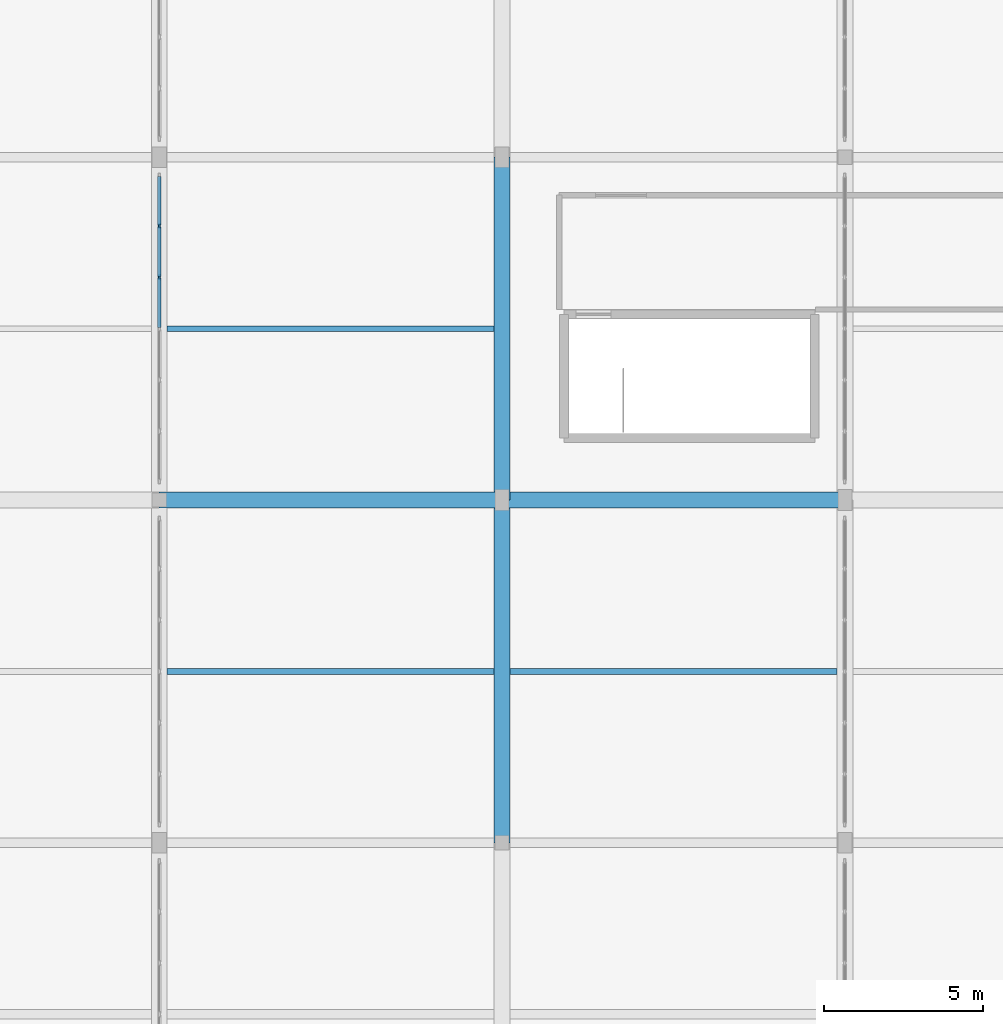
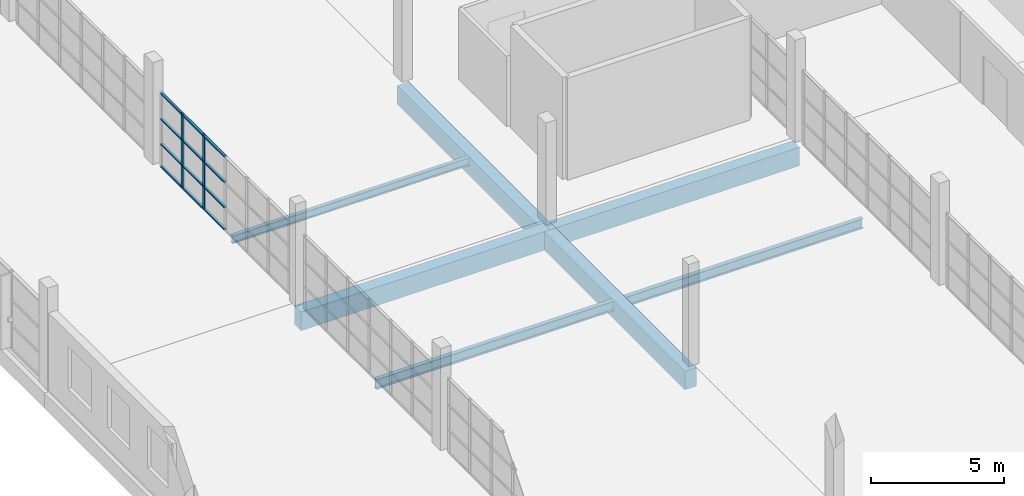
# One storey, part 17 of 142: 14 members, 7 beams, 1 element without a shape of its own.
"""IFC4 building model written with IfcOpenShell, lengths in metres."""

from ifc_helpers import new_model, si_unit, direction, frame, origin, origin_2d, place, context, subcontext, project, spatial, rectangle, i_section, extrude, material, material_profile, profile_set, type_object, element, aggregate, save


model = new_model("IFC4")

# Units and contexts
model_context = context("Model", 3, precision=1e-05, world=origin(), true_north=direction((0.0, 1.0)))
body_context = subcontext(model_context, "Body", "Model", "MODEL_VIEW")
ifc_project = project(units=[si_unit("LENGTHUNIT", "METRE"), si_unit("AREAUNIT", "SQUARE_METRE"), si_unit("VOLUMEUNIT", "CUBIC_METRE"), si_unit("PLANEANGLEUNIT", "RADIAN"), si_unit("MASSUNIT", "GRAM", prefix="KILO")], contexts=[model_context])

# Site, building, storey
site_placement = place(None, origin())
site = spatial("IfcSite", under=ifc_project, at=site_placement, CompositionType="ELEMENT")
building_placement = place(site_placement, origin())
building = spatial("IfcBuilding", under=site, at=building_placement, Name="Zwinboog Wholesale Market", CompositionType="ELEMENT")
storey_placement = place(building_placement, frame((0.0, 0.0, 5.39990234375)))
storey = spatial("IfcBuildingStorey", under=building, at=storey_placement, Name="L01", CompositionType="ELEMENT", Elevation=5.39990234375)

# Beams
ifc_material_1 = material(Name="Precast concrete C45/55", Category="concrete")
ifc_material_profile_1 = material_profile(ifc_material_1, rectangle(XDim=0.5, YDim=0.85009765625, at=origin_2d()), Name="PC 500x850")
ifc_profile_set_1 = profile_set([ifc_material_profile_1], Name="Precast concrete C45/55")
beam_type_1 = type_object("IfcBeamType", Name="BT-03", PredefinedType="BEAM", material=ifc_profile_set_1)
beam_1_placement = place(storey_placement, frame((10.800048828125, 54.0, -0.7568359375), z_axis=(1.0, 0.0, 0.0), x_axis=(0.0, 1.0, 0.0)))
element("IfcBeam", 1, at=beam_1_placement, inside=storey, type_object=beam_type_1, Name="BG-03 (BMG-L01-0108-0540-0476)", PredefinedType="BEAM", context=body_context, shape_type="SweptSolid", body=[
    extrude(rectangle(XDim=0.5, YDim=0.85009765625, at=origin_2d()), origin(), (0.0, 0.0, 1.0), 10.800048828125),
])
beam_2_placement = place(storey_placement, frame((21.60009765625, 54.0, -0.7568359375), z_axis=(1.0, 0.0, 0.0), x_axis=(0.0, 1.0, 0.0)))
element("IfcBeam", 2, at=beam_2_placement, inside=storey, type_object=beam_type_1, Name="BG-03 (BMG-L01-0216-0540-0477)", PredefinedType="BEAM", context=body_context, shape_type="SweptSolid", body=[
    extrude(rectangle(XDim=0.5, YDim=0.85009765625, at=origin_2d()), origin(), (0.0, 0.0, 1.0), 10.7998046875),
])
for number, where, z_axis, x_axis, name in (
    (3, (21.60009765625, 43.199951171875, -0.7568359375), (0.0, 1.0, 0.0), (-1.0, 0.0, 0.0), "BG-03 (BMG-L01-0216-0432-0627)"),
    (4, (21.60009765625, 54.0, -0.7568359375), (0.0, 1.0, 0.0), (-1.0, 0.0, 0.0), "BG-03 (BMG-L01-0216-0540-0628)"),
):
    element("IfcBeam", number, at=place(storey_placement, frame(where, z_axis=z_axis, x_axis=x_axis)), inside=storey, type_object=beam_type_1, Name=name, PredefinedType="BEAM", context=body_context, shape_type="SweptSolid", body=[
        extrude(rectangle(XDim=0.5, YDim=0.85009765625, at=origin_2d()), origin(), (0.0, 0.0, 1.0), 10.800048828125),
    ])
ifc_material_2 = material(Name="Steel S355", Category="steel")
ifc_material_profile_2 = material_profile(ifc_material_2, i_section(OverallWidth=0.18994140625, OverallDepth=0.449951171875, WebThickness=0.009521484375, FlangeThickness=0.0146484375, FilletRadius=0.02099609375, at=origin_2d()), Name="IPE 450")
ifc_profile_set_2 = profile_set([ifc_material_profile_2], Name="Steel S355")
beam_type_2 = type_object("IfcBeamType", Name="BT-19", PredefinedType="JOIST", material=ifc_profile_set_2)
beam_3_placement = place(storey_placement, frame((11.050048828125, 48.60009765625, -0.556884765625), z_axis=(1.0, 0.0, 0.0), x_axis=(0.0, 1.0, 0.0)))
element("IfcBeam", 5, at=beam_3_placement, inside=storey, type_object=beam_type_2, Name="SJ-02 (BMG-L01-0110-0486-0783)", PredefinedType="JOIST", context=body_context, shape_type="SweptSolid", body=[
    extrude(i_section(OverallWidth=0.18994140625, OverallDepth=0.449951171875, WebThickness=0.009521484375, FlangeThickness=0.0146484375, FilletRadius=0.02099609375, at=origin_2d()), origin(), (0.0, 0.0, 1.0), 10.300048828125),
])
beam_4_placement = place(storey_placement, frame((21.85009765625, 48.60009765625, -0.556884765625), z_axis=(1.0, 0.0, 0.0), x_axis=(0.0, 1.0, 0.0)))
element("IfcBeam", 6, at=beam_4_placement, inside=storey, type_object=beam_type_2, Name="SJ-02 (BMG-L01-0218-0486-0788)", PredefinedType="JOIST", context=body_context, shape_type="SweptSolid", body=[
    extrude(i_section(OverallWidth=0.18994140625, OverallDepth=0.449951171875, WebThickness=0.009521484375, FlangeThickness=0.0146484375, FilletRadius=0.02099609375, at=origin_2d()), origin(), (0.0, 0.0, 1.0), 10.2998046875),
])
ifc_material_profile_3 = material_profile(ifc_material_2, i_section(OverallWidth=0.169921875, OverallDepth=0.360107421875, WebThickness=0.008056640625, FlangeThickness=0.0126953125, FilletRadius=0.01806640625, at=origin_2d()), Name="IPE 360")
ifc_profile_set_3 = profile_set([ifc_material_profile_3], Name="Steel S355")
beam_type_3 = type_object("IfcBeamType", Name="BT-20", PredefinedType="JOIST", material=ifc_profile_set_3)
beam_5_placement = place(storey_placement, frame((11.050048828125, 59.39990234375, -0.48486328125), z_axis=(1.0, 0.0, 0.0), x_axis=(0.0, 1.0, 0.0)))
element("IfcBeam", 7, at=beam_5_placement, inside=storey, type_object=beam_type_3, Name="SJ-03 (BMG-L01-0110-0594-0797)", PredefinedType="JOIST", context=body_context, shape_type="SweptSolid", body=[
    extrude(i_section(OverallWidth=0.169921875, OverallDepth=0.360107421875, WebThickness=0.008056640625, FlangeThickness=0.0126953125, FilletRadius=0.01806640625, at=origin_2d()), origin(), (0.0, 0.0, 1.0), 10.300048828125),
])

# Curtain wall, members
ifc_material_3 = material(Name="Aluminium thermally broken curtain wall", Category="aluminium")
curtain_wall_type = type_object("IfcCurtainWallType", Name="CWT-INT-STALL", PredefinedType="USERDEFINED", material=ifc_material_3)
curtain_wall_placement = place(storey_placement, origin())
curtain_wall = element("IfcCurtainWall", 8, at=curtain_wall_placement, inside=storey, type_object=curtain_wall_type, Name="CW-07 (CW-STL-260)", ObjectType="STOREFRONT_GLAZING", PredefinedType="USERDEFINED")
ifc_material_4 = material(Name="Aluminium EN AW-6060", Category="aluminium")
ifc_material_profile_4 = material_profile(ifc_material_4, rectangle(XDim=0.06005859375, YDim=0.14990234375, at=origin_2d()), Name="AL 60x150")
ifc_profile_set_4 = profile_set([ifc_material_profile_4], Name="Aluminium EN AW-6060")
member_type_1 = type_object("IfcMemberType", Name="CWM-INT-60x120", PredefinedType="MULLION", material=ifc_profile_set_4)
member_1_placement = place(storey_placement, frame((10.800048828125, 61.0166015625, 0.0), z_axis=(0.0, 0.0, 1.0), x_axis=(-1.0, 0.0, 0.0)))
member_1 = element("IfcMember", 9, at=member_1_placement, type_object=member_type_1, Name="CW-07 mullion 5", PredefinedType="MULLION", context=body_context, shape_type="SweptSolid", body=[
    extrude(rectangle(XDim=0.06005859375, YDim=0.14990234375, at=origin_2d()), origin(), (0.0, 0.0, 1.0), 3.400146484375),
])
member_2_placement = place(storey_placement, frame((10.800048828125, 62.63330078125, 0.0), z_axis=(0.0, 0.0, 1.0), x_axis=(-1.0, 0.0, 0.0)))
member_2 = element("IfcMember", 10, at=member_2_placement, type_object=member_type_1, Name="CW-07 mullion 6", PredefinedType="MULLION", context=body_context, shape_type="SweptSolid", body=[
    extrude(rectangle(XDim=0.06005859375, YDim=0.14990234375, at=origin_2d()), origin(), (0.0, 0.0, 1.0), 3.400146484375),
])
ifc_material_profile_5 = material_profile(ifc_material_4, rectangle(XDim=0.110107421875, YDim=0.06005859375, at=origin_2d()), Name="AL 60x110")
ifc_profile_set_5 = profile_set([ifc_material_profile_5], Name="Aluminium EN AW-6060")
member_type_2 = type_object("IfcMemberType", Name="CWT-INT-60x100", PredefinedType="USERDEFINED", material=ifc_profile_set_5)
member_3_placement = place(storey_placement, frame((10.800048828125, 59.429931640625, 0.030029296875), z_axis=(0.0, 1.0, 0.0), x_axis=(-1.0, 0.0, 0.0)))
member_3 = element("IfcMember", 11, at=member_3_placement, type_object=member_type_2, Name="CW-07 transom 4.1", ObjectType="TRANSOM", PredefinedType="USERDEFINED", context=body_context, shape_type="SweptSolid", body=[
    extrude(rectangle(XDim=0.110107421875, YDim=0.06005859375, at=origin_2d()), origin(), (0.0, 0.0, 1.0), 1.556640625),
])
member_4_placement = place(storey_placement, frame((10.800048828125, 59.429931640625, 1.050048828125), z_axis=(0.0, 1.0, 0.0), x_axis=(-1.0, 0.0, 0.0)))
member_4 = element("IfcMember", 12, at=member_4_placement, type_object=member_type_2, Name="CW-07 transom 4.2", ObjectType="TRANSOM", PredefinedType="USERDEFINED", context=body_context, shape_type="SweptSolid", body=[
    extrude(rectangle(XDim=0.110107421875, YDim=0.06005859375, at=origin_2d()), origin(), (0.0, 0.0, 1.0), 1.556640625),
])
member_5_placement = place(storey_placement, frame((10.800048828125, 59.429931640625, 2.2001953125), z_axis=(0.0, 1.0, 0.0), x_axis=(-1.0, 0.0, 0.0)))
member_5 = element("IfcMember", 13, at=member_5_placement, type_object=member_type_2, Name="CW-07 transom 4.3", ObjectType="TRANSOM", PredefinedType="USERDEFINED", context=body_context, shape_type="SweptSolid", body=[
    extrude(rectangle(XDim=0.110107421875, YDim=0.06005859375, at=origin_2d()), origin(), (0.0, 0.0, 1.0), 1.556640625),
])
member_6_placement = place(storey_placement, frame((10.800048828125, 59.429931640625, 3.3701171875), z_axis=(0.0, 1.0, 0.0), x_axis=(-1.0, 0.0, 0.0)))
member_6 = element("IfcMember", 14, at=member_6_placement, type_object=member_type_2, Name="CW-07 transom 4.4", ObjectType="TRANSOM", PredefinedType="USERDEFINED", context=body_context, shape_type="SweptSolid", body=[
    extrude(rectangle(XDim=0.110107421875, YDim=0.06005859375, at=origin_2d()), origin(), (0.0, 0.0, 1.0), 1.556640625),
])
member_7_placement = place(storey_placement, frame((10.800048828125, 61.046630859375, 0.030029296875), z_axis=(0.0, 1.0, 0.0), x_axis=(-1.0, 0.0, 0.0)))
member_7 = element("IfcMember", 15, at=member_7_placement, type_object=member_type_2, Name="CW-07 transom 5.1", ObjectType="TRANSOM", PredefinedType="USERDEFINED", context=body_context, shape_type="SweptSolid", body=[
    extrude(rectangle(XDim=0.110107421875, YDim=0.06005859375, at=origin_2d()), origin(), (0.0, 0.0, 1.0), 1.556640625),
])
member_8_placement = place(storey_placement, frame((10.800048828125, 61.046630859375, 1.050048828125), z_axis=(0.0, 1.0, 0.0), x_axis=(-1.0, 0.0, 0.0)))
member_8 = element("IfcMember", 16, at=member_8_placement, type_object=member_type_2, Name="CW-07 transom 5.2", ObjectType="TRANSOM", PredefinedType="USERDEFINED", context=body_context, shape_type="SweptSolid", body=[
    extrude(rectangle(XDim=0.110107421875, YDim=0.06005859375, at=origin_2d()), origin(), (0.0, 0.0, 1.0), 1.556640625),
])
member_9_placement = place(storey_placement, frame((10.800048828125, 61.046630859375, 2.2001953125), z_axis=(0.0, 1.0, 0.0), x_axis=(-1.0, 0.0, 0.0)))
member_9 = element("IfcMember", 17, at=member_9_placement, type_object=member_type_2, Name="CW-07 transom 5.3", ObjectType="TRANSOM", PredefinedType="USERDEFINED", context=body_context, shape_type="SweptSolid", body=[
    extrude(rectangle(XDim=0.110107421875, YDim=0.06005859375, at=origin_2d()), origin(), (0.0, 0.0, 1.0), 1.556640625),
])
member_10_placement = place(storey_placement, frame((10.800048828125, 61.046630859375, 3.3701171875), z_axis=(0.0, 1.0, 0.0), x_axis=(-1.0, 0.0, 0.0)))
member_10 = element("IfcMember", 18, at=member_10_placement, type_object=member_type_2, Name="CW-07 transom 5.4", ObjectType="TRANSOM", PredefinedType="USERDEFINED", context=body_context, shape_type="SweptSolid", body=[
    extrude(rectangle(XDim=0.110107421875, YDim=0.06005859375, at=origin_2d()), origin(), (0.0, 0.0, 1.0), 1.556640625),
])
member_11_placement = place(storey_placement, frame((10.800048828125, 62.663330078125, 0.030029296875), z_axis=(0.0, 1.0, 0.0), x_axis=(-1.0, 0.0, 0.0)))
member_11 = element("IfcMember", 19, at=member_11_placement, type_object=member_type_2, Name="CW-07 transom 6.1", ObjectType="TRANSOM", PredefinedType="USERDEFINED", context=body_context, shape_type="SweptSolid", body=[
    extrude(rectangle(XDim=0.110107421875, YDim=0.06005859375, at=origin_2d()), origin(), (0.0, 0.0, 1.0), 1.526611328125),
])
member_12_placement = place(storey_placement, frame((10.800048828125, 62.663330078125, 1.050048828125), z_axis=(0.0, 1.0, 0.0), x_axis=(-1.0, 0.0, 0.0)))
member_12 = element("IfcMember", 20, at=member_12_placement, type_object=member_type_2, Name="CW-07 transom 6.2", ObjectType="TRANSOM", PredefinedType="USERDEFINED", context=body_context, shape_type="SweptSolid", body=[
    extrude(rectangle(XDim=0.110107421875, YDim=0.06005859375, at=origin_2d()), origin(), (0.0, 0.0, 1.0), 1.526611328125),
])
member_13_placement = place(storey_placement, frame((10.800048828125, 62.663330078125, 2.2001953125), z_axis=(0.0, 1.0, 0.0), x_axis=(-1.0, 0.0, 0.0)))
member_13 = element("IfcMember", 21, at=member_13_placement, type_object=member_type_2, Name="CW-07 transom 6.3", ObjectType="TRANSOM", PredefinedType="USERDEFINED", context=body_context, shape_type="SweptSolid", body=[
    extrude(rectangle(XDim=0.110107421875, YDim=0.06005859375, at=origin_2d()), origin(), (0.0, 0.0, 1.0), 1.526611328125),
])
member_14_placement = place(storey_placement, frame((10.800048828125, 62.663330078125, 3.3701171875), z_axis=(0.0, 1.0, 0.0), x_axis=(-1.0, 0.0, 0.0)))
member_14 = element("IfcMember", 22, at=member_14_placement, type_object=member_type_2, Name="CW-07 transom 6.4", ObjectType="TRANSOM", PredefinedType="USERDEFINED", context=body_context, shape_type="SweptSolid", body=[
    extrude(rectangle(XDim=0.110107421875, YDim=0.06005859375, at=origin_2d()), origin(), (0.0, 0.0, 1.0), 1.526611328125),
])
aggregate(curtain_wall, [member_1, member_2, member_3, member_4, member_5, member_6, member_7, member_8, member_9, member_10, member_11, member_12, member_13, member_14])

save(model, "model.ifc")
